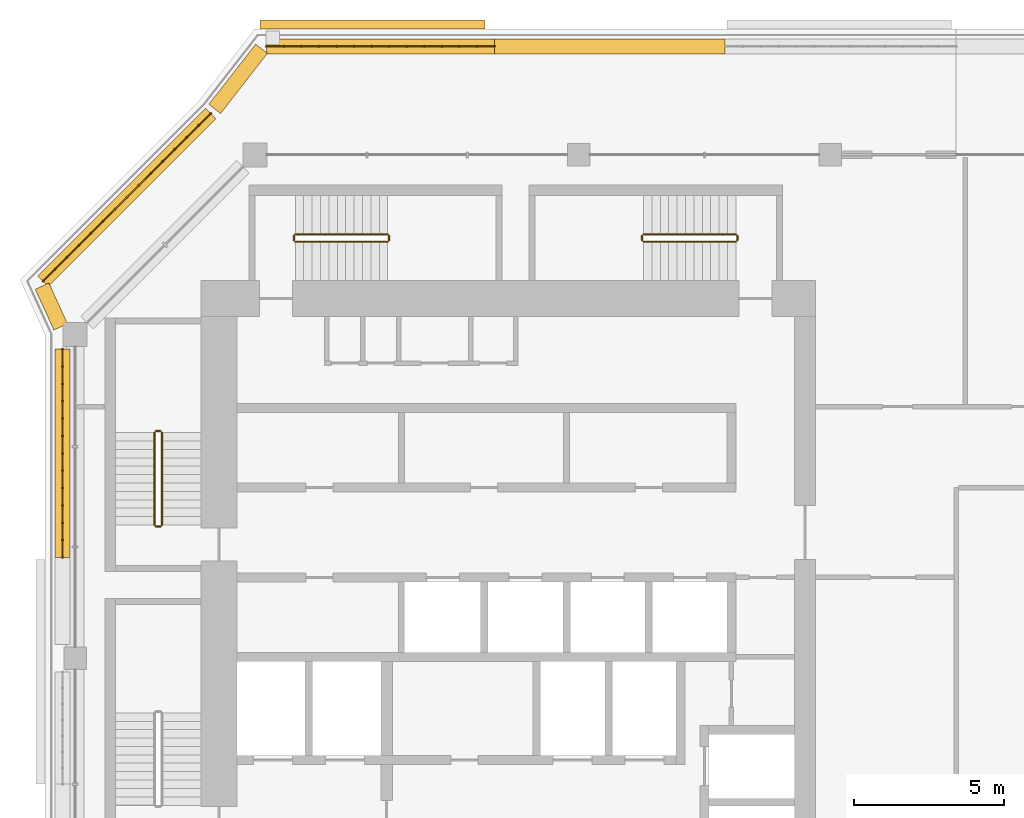
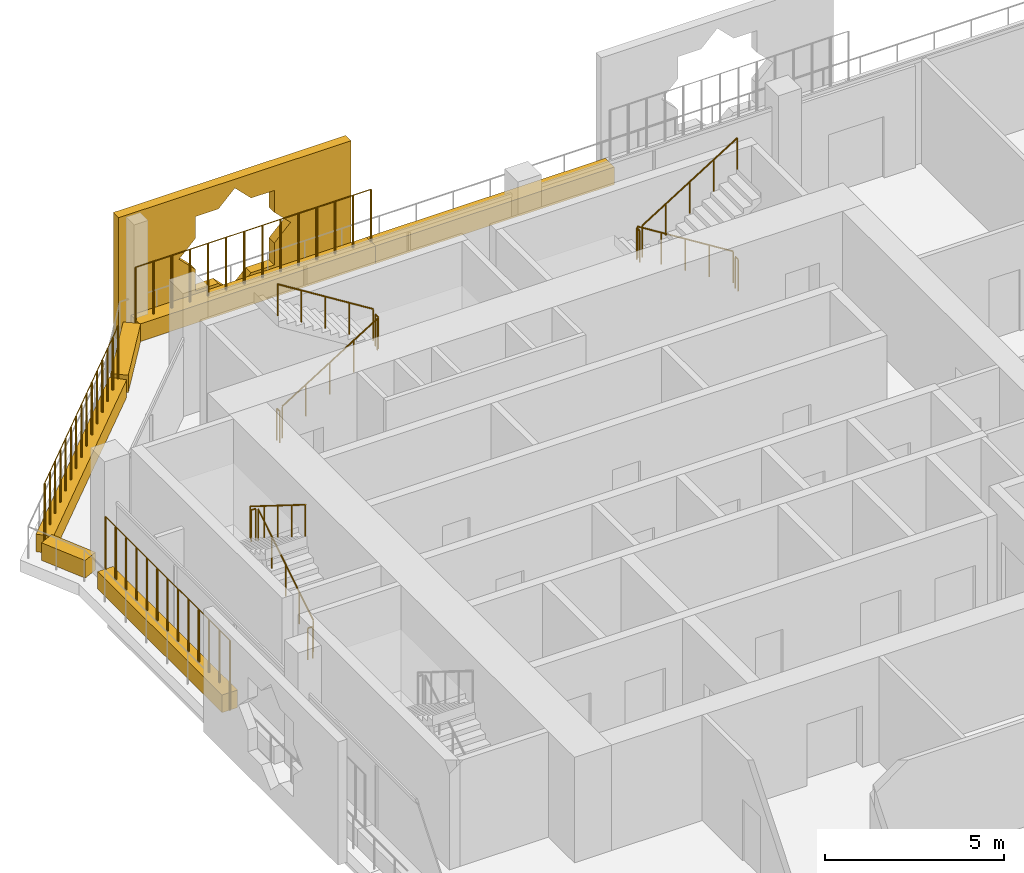
# One storey, part 19 of 21: 15 railings, 7 coverings.
"""IFC4 building model written with IfcOpenShell, lengths in metres."""

from ifc_helpers import new_model, si_unit, direction, frame, origin, origin_2d, place, context, subcontext, project, spatial, polyline, rectangle, circle, outline, extrude, material, material_profile, profile_set, type_object, element, save


model = new_model("IFC4")

# Units and contexts
model_context = context("Model", 3, precision=1e-05, world=origin(), true_north=direction((0.0, 1.0)))
body_context = subcontext(model_context, "Body", "Model", "MODEL_VIEW")
ifc_project = project(units=[si_unit("LENGTHUNIT", "METRE"), si_unit("AREAUNIT", "SQUARE_METRE"), si_unit("VOLUMEUNIT", "CUBIC_METRE"), si_unit("PLANEANGLEUNIT", "RADIAN"), si_unit("MASSUNIT", "GRAM", prefix="KILO")], contexts=[model_context])

# Site, building, storey
site_placement = place(None, origin())
site = spatial("IfcSite", under=ifc_project, at=site_placement, CompositionType="ELEMENT")
building_placement = place(site_placement, origin())
building = spatial("IfcBuilding", under=site, at=building_placement, Name="Kawkab Arch Medical Tower", CompositionType="ELEMENT")
storey_placement = place(building_placement, frame((0.0, 0.0, 311.199951171875)))
storey = spatial("IfcBuildingStorey", under=building, at=storey_placement, Name="L72", CompositionType="ELEMENT", Elevation=311.199951171875)

# Coverings
ifc_material_1 = material(Name="Bronze anodised aluminium mashrabiya panel, eight-point star pattern", Category="aluminium")
ifc_material_profile_1 = material_profile(ifc_material_1, outline(polyline([(-3.75, -2.10009765625), (3.75, -2.10009765625), (3.75, 2.10009765625), (-3.75, 2.10009765625), (-3.75, -2.10009765625)]), holes=[polyline([(1.800048828125, 0.0), (1.272705078125, 0.527099609375), (1.272705078125, 1.272705078125), (0.527099609375, 1.272705078125), (0.0, 1.800048828125), (-0.527099609375, 1.272705078125), (-1.272705078125, 1.272705078125), (-1.272705078125, 0.527099609375), (-1.800048828125, 0.0), (-1.272705078125, -0.527099609375), (-1.272705078125, -1.272705078125), (-0.527099609375, -1.272705078125), (0.0, -1.800048828125), (0.527099609375, -1.272705078125), (1.272705078125, -1.272705078125), (1.272705078125, -0.527099609375), (1.800048828125, 0.0)])]), Name="Mashrabiya panel 7500x4200")
ifc_profile_set_1 = profile_set([ifc_material_profile_1], Name="Bronze anodised aluminium mashrabiya panel, eight-point star pattern")
covering_type_1 = type_object("IfcCoveringType", Name="Mashrabiya panel 7500 x 4200", PredefinedType="USERDEFINED", material=ifc_profile_set_1)
covering_1_placement = place(storey_placement, frame((9.924072265625, 4.199951171875, 1.699951171875), z_axis=(0.0, 1.0, 0.0), x_axis=(-1.0, 0.0, 0.0)))
element("IfcCovering", 1, at=covering_1_placement, inside=storey, type_object=covering_type_1, Name="Mashrabiya panel L72.LOG-01-01.3", ObjectType="SCREEN", PredefinedType="USERDEFINED", context=body_context, shape_type="SweptSolid", body=[
    extrude(outline(polyline([(-3.75, -2.10009765625), (3.75, -2.10009765625), (3.75, 2.10009765625), (-3.75, 2.10009765625), (-3.75, -2.10009765625)]), holes=[polyline([(1.800048828125, 0.0), (1.272705078125, 0.527099609375), (1.272705078125, 1.272705078125), (0.527099609375, 1.272705078125), (0.0, 1.800048828125), (-0.527099609375, 1.272705078125), (-1.272705078125, 1.272705078125), (-1.272705078125, 0.527099609375), (-1.800048828125, 0.0), (-1.272705078125, -0.527099609375), (-1.272705078125, -1.272705078125), (-0.527099609375, -1.272705078125), (0.0, -1.800048828125), (0.527099609375, -1.272705078125), (1.272705078125, -1.272705078125), (1.272705078125, -0.527099609375), (1.800048828125, 0.0)])]), origin(), (0.0, 0.0, 1.0), 0.300048828125),
])
ifc_material_2 = material(Name="Planting soil in a precast trough", Category="concrete")
ifc_material_profile_2 = material_profile(ifc_material_2, rectangle(XDim=0.5, YDim=0.60009765625, at=origin_2d()), Name="Trough 500x600")
ifc_profile_set_2 = profile_set([ifc_material_profile_2], Name="Planting soil in a precast trough")
covering_type_2 = type_object("IfcCoveringType", Name="Planter trough 500 x 600", PredefinedType="USERDEFINED", material=ifc_profile_set_2)
covering_2_placement = place(storey_placement, frame((-0.419921875, -13.43701171875, 0.300048828125), z_axis=(0.0, 1.0, 0.0), x_axis=(-1.0, 0.0, 0.0)))
element("IfcCovering", 2, at=covering_2_placement, inside=storey, type_object=covering_type_2, Name="Planter L72.LOG-01-01.9", ObjectType="PLANTER", PredefinedType="USERDEFINED", context=body_context, shape_type="SweptSolid", body=[
    extrude(rectangle(XDim=0.5, YDim=0.60009765625, at=origin_2d()), origin(), (0.0, 0.0, 1.0), 6.95703125),
])
covering_3_placement = place(storey_placement, frame((-0.47998046875, -5.741943359375, 0.300048828125), z_axis=(-0.415189748133, 0.909734836667, 0.0), x_axis=(-0.909734836667, -0.415189748133, 0.0)))
element("IfcCovering", 3, at=covering_3_placement, inside=storey, type_object=covering_type_2, Name="Planter L72.LOG-01-01.10", ObjectType="PLANTER", PredefinedType="USERDEFINED", context=body_context, shape_type="SweptSolid", body=[
    extrude(rectangle(XDim=0.5, YDim=0.60009765625, at=origin_2d()), origin(), (0.0, 0.0, 1.0), 1.498291015625),
])
covering_4_placement = place(storey_placement, frame((-1.072998046875, -4.217041015625, 0.300048828125), z_axis=(0.707106781187, 0.707106781187, 0.0), x_axis=(-0.707106781187, 0.707106781187, 0.0)))
element("IfcCovering", 4, at=covering_4_placement, inside=storey, type_object=covering_type_2, Name="Planter L72.LOG-01-01.11", ObjectType="PLANTER", PredefinedType="USERDEFINED", context=body_context, shape_type="SweptSolid", body=[
    extrude(rectangle(XDim=0.5, YDim=0.60009765625, at=origin_2d()), origin(), (0.0, 0.0, 1.0), 7.919677734375),
])
covering_5_placement = place(storey_placement, frame((4.658935546875, 1.531982421875, 0.300048828125), z_axis=(0.61404021143, 0.789274742246, 0.0), x_axis=(-0.789274742246, 0.61404021143, 0.0)))
element("IfcCovering", 5, at=covering_5_placement, inside=storey, type_object=covering_type_2, Name="Planter L72.LOG-01-01.12", ObjectType="PLANTER", PredefinedType="USERDEFINED", context=body_context, shape_type="SweptSolid", body=[
    extrude(rectangle(XDim=0.5, YDim=0.60009765625, at=origin_2d()), origin(), (0.0, 0.0, 1.0), 2.54541015625),
])
covering_6_placement = place(storey_placement, frame((6.384033203125, 3.6201171875, 0.300048828125), z_axis=(1.0, 0.0, 0.0), x_axis=(0.0, 1.0, 0.0)))
element("IfcCovering", 6, at=covering_6_placement, inside=storey, type_object=covering_type_2, Name="Planter L72.LOG-01-01.13", ObjectType="PLANTER", PredefinedType="USERDEFINED", context=body_context, shape_type="SweptSolid", body=[
    extrude(rectangle(XDim=0.5, YDim=0.60009765625, at=origin_2d()), origin(), (0.0, 0.0, 1.0), 7.60498046875),
])
covering_7_placement = place(storey_placement, frame((13.989013671875, 3.6201171875, 0.300048828125), z_axis=(1.0, 0.0, 0.0), x_axis=(0.0, 1.0, 0.0)))
element("IfcCovering", 7, at=covering_7_placement, inside=storey, type_object=covering_type_2, Name="Planter L72.LOG-01-01.14", ObjectType="PLANTER", PredefinedType="USERDEFINED", context=body_context, shape_type="SweptSolid", body=[
    extrude(rectangle(XDim=0.5, YDim=0.60009765625, at=origin_2d()), origin(), (0.0, 0.0, 1.0), 7.7060546875),
])

# Railings
ifc_material_3 = material(Name="Bronze anodised aluminium trellis for climbing plants", Category="aluminium")
railing_type_1 = type_object("IfcRailingType", Name="Planting trellis 2400", PredefinedType="USERDEFINED", material=ifc_material_3)
railing_1_placement = place(storey_placement, frame((-0.419921875, -13.43701171875, 0.0)))
element("IfcRailing", 8, at=railing_1_placement, inside=storey, type_object=railing_type_1, Name="Planting trellis L72.LOG-01-01.9", ObjectType="TRELLIS", PredefinedType="USERDEFINED", context=body_context, shape_type="SweptSolid", body=[
    extrude(circle(Radius=0.01513671875, at=origin_2d()), frame((0.0, 0.0, 2.384765625), z_axis=(0.0, 1.0, 0.0), x_axis=(-1.0, 0.0, 0.0)), (0.0, 0.0, 1.0), 6.95703125),
    extrude(circle(Radius=0.030029296875, at=origin_2d()), origin(), (0.0, 0.0, 1.0), 2.369873046875),
    extrude(circle(Radius=0.030029296875, at=origin_2d()), frame((0.0, 0.579833984375, 0.0)), (0.0, 0.0, 1.0), 2.369873046875),
    extrude(circle(Radius=0.030029296875, at=origin_2d()), frame((0.0, 1.159423828125, 0.0)), (0.0, 0.0, 1.0), 2.369873046875),
    extrude(circle(Radius=0.030029296875, at=origin_2d()), frame((0.0, 1.7392578125, 0.0)), (0.0, 0.0, 1.0), 2.369873046875),
    extrude(circle(Radius=0.030029296875, at=origin_2d()), frame((0.0, 2.319091796875, 0.0)), (0.0, 0.0, 1.0), 2.369873046875),
    extrude(circle(Radius=0.030029296875, at=origin_2d()), frame((0.0, 2.898681640625, 0.0)), (0.0, 0.0, 1.0), 2.369873046875),
    extrude(circle(Radius=0.030029296875, at=origin_2d()), frame((0.0, 3.478515625, 0.0)), (0.0, 0.0, 1.0), 2.369873046875),
    extrude(circle(Radius=0.030029296875, at=origin_2d()), frame((0.0, 4.058349609375, 0.0)), (0.0, 0.0, 1.0), 2.369873046875),
    extrude(circle(Radius=0.030029296875, at=origin_2d()), frame((0.0, 4.637939453125, 0.0)), (0.0, 0.0, 1.0), 2.369873046875),
    extrude(circle(Radius=0.030029296875, at=origin_2d()), frame((0.0, 5.2177734375, 0.0)), (0.0, 0.0, 1.0), 2.369873046875),
    extrude(circle(Radius=0.030029296875, at=origin_2d()), frame((0.0, 5.797607421875, 0.0)), (0.0, 0.0, 1.0), 2.369873046875),
    extrude(circle(Radius=0.030029296875, at=origin_2d()), frame((0.0, 6.377197265625, 0.0)), (0.0, 0.0, 1.0), 2.369873046875),
    extrude(circle(Radius=0.030029296875, at=origin_2d()), frame((0.0, 6.95703125, 0.0)), (0.0, 0.0, 1.0), 2.369873046875),
])
railing_2_placement = place(storey_placement, frame((-1.072998046875, -4.217041015625, 0.0)))
element("IfcRailing", 9, at=railing_2_placement, inside=storey, type_object=railing_type_1, Name="Planting trellis L72.LOG-01-01.11", ObjectType="TRELLIS", PredefinedType="USERDEFINED", context=body_context, shape_type="SweptSolid", body=[
    extrude(circle(Radius=0.01513671875, at=origin_2d()), frame((0.0, 0.0, 2.384765625), z_axis=(0.707106781187, 0.707106781187, 0.0), x_axis=(-0.707106781187, 0.707106781187, 0.0)), (0.0, 0.0, 1.0), 7.919677734375),
    extrude(circle(Radius=0.030029296875, at=origin_2d()), origin(), (0.0, 0.0, 1.0), 2.369873046875),
    extrude(circle(Radius=0.030029296875, at=origin_2d()), frame((0.39990234375, 0.39990234375, 0.0)), (0.0, 0.0, 1.0), 2.369873046875),
    extrude(circle(Radius=0.030029296875, at=origin_2d()), frame((0.800048828125, 0.800048828125, 0.0)), (0.0, 0.0, 1.0), 2.369873046875),
    extrude(circle(Radius=0.030029296875, at=origin_2d()), frame((1.199951171875, 1.199951171875, 0.0)), (0.0, 0.0, 1.0), 2.369873046875),
    extrude(circle(Radius=0.030029296875, at=origin_2d()), frame((1.60009765625, 1.60009765625, 0.0)), (0.0, 0.0, 1.0), 2.369873046875),
    extrude(circle(Radius=0.030029296875, at=origin_2d()), frame((2.0, 2.0, 0.0)), (0.0, 0.0, 1.0), 2.369873046875),
    extrude(circle(Radius=0.030029296875, at=origin_2d()), frame((2.400146484375, 2.400146484375, 0.0)), (0.0, 0.0, 1.0), 2.369873046875),
    extrude(circle(Radius=0.030029296875, at=origin_2d()), frame((2.800048828125, 2.800048828125, 0.0)), (0.0, 0.0, 1.0), 2.369873046875),
    extrude(circle(Radius=0.030029296875, at=origin_2d()), frame((3.199951171875, 3.199951171875, 0.0)), (0.0, 0.0, 1.0), 2.369873046875),
    extrude(circle(Radius=0.030029296875, at=origin_2d()), frame((3.60009765625, 3.60009765625, 0.0)), (0.0, 0.0, 1.0), 2.369873046875),
    extrude(circle(Radius=0.030029296875, at=origin_2d()), frame((4.0, 4.0, 0.0)), (0.0, 0.0, 1.0), 2.369873046875),
    extrude(circle(Radius=0.030029296875, at=origin_2d()), frame((4.400146484375, 4.400146484375, 0.0)), (0.0, 0.0, 1.0), 2.369873046875),
    extrude(circle(Radius=0.030029296875, at=origin_2d()), frame((4.800048828125, 4.800048828125, 0.0)), (0.0, 0.0, 1.0), 2.369873046875),
    extrude(circle(Radius=0.030029296875, at=origin_2d()), frame((5.2001953125, 5.2001953125, 0.0)), (0.0, 0.0, 1.0), 2.369873046875),
    extrude(circle(Radius=0.030029296875, at=origin_2d()), frame((5.60009765625, 5.60009765625, 0.0)), (0.0, 0.0, 1.0), 2.369873046875),
])
railing_3_placement = place(storey_placement, frame((6.384033203125, 3.6201171875, 0.0)))
element("IfcRailing", 10, at=railing_3_placement, inside=storey, type_object=railing_type_1, Name="Planting trellis L72.LOG-01-01.13", ObjectType="TRELLIS", PredefinedType="USERDEFINED", context=body_context, shape_type="SweptSolid", body=[
    extrude(circle(Radius=0.01513671875, at=origin_2d()), frame((0.0, 0.0, 2.384765625), z_axis=(1.0, 0.0, 0.0), x_axis=(0.0, 1.0, 0.0)), (0.0, 0.0, 1.0), 7.60498046875),
    extrude(circle(Radius=0.030029296875, at=origin_2d()), origin(), (0.0, 0.0, 1.0), 2.369873046875),
    extrude(circle(Radius=0.030029296875, at=origin_2d()), frame((0.5849609375, 0.0, 0.0)), (0.0, 0.0, 1.0), 2.369873046875),
    extrude(circle(Radius=0.030029296875, at=origin_2d()), frame((1.169921875, 0.0, 0.0)), (0.0, 0.0, 1.0), 2.369873046875),
    extrude(circle(Radius=0.030029296875, at=origin_2d()), frame((1.7548828125, 0.0, 0.0)), (0.0, 0.0, 1.0), 2.369873046875),
    extrude(circle(Radius=0.030029296875, at=origin_2d()), frame((2.340087890625, 0.0, 0.0)), (0.0, 0.0, 1.0), 2.369873046875),
    extrude(circle(Radius=0.030029296875, at=origin_2d()), frame((2.925048828125, 0.0, 0.0)), (0.0, 0.0, 1.0), 2.369873046875),
    extrude(circle(Radius=0.030029296875, at=origin_2d()), frame((3.510009765625, 0.0, 0.0)), (0.0, 0.0, 1.0), 2.369873046875),
    extrude(circle(Radius=0.030029296875, at=origin_2d()), frame((4.094970703125, 0.0, 0.0)), (0.0, 0.0, 1.0), 2.369873046875),
    extrude(circle(Radius=0.030029296875, at=origin_2d()), frame((4.679931640625, 0.0, 0.0)), (0.0, 0.0, 1.0), 2.369873046875),
    extrude(circle(Radius=0.030029296875, at=origin_2d()), frame((5.264892578125, 0.0, 0.0)), (0.0, 0.0, 1.0), 2.369873046875),
    extrude(circle(Radius=0.030029296875, at=origin_2d()), frame((5.85009765625, 0.0, 0.0)), (0.0, 0.0, 1.0), 2.369873046875),
    extrude(circle(Radius=0.030029296875, at=origin_2d()), frame((6.43505859375, 0.0, 0.0)), (0.0, 0.0, 1.0), 2.369873046875),
    extrude(circle(Radius=0.030029296875, at=origin_2d()), frame((7.02001953125, 0.0, 0.0)), (0.0, 0.0, 1.0), 2.369873046875),
    extrude(circle(Radius=0.030029296875, at=origin_2d()), frame((7.60498046875, 0.0, 0.0)), (0.0, 0.0, 1.0), 2.369873046875),
])
ifc_material_4 = material(Name="Stainless steel", Category="steel")
railing_type_2 = type_object("IfcRailingType", Name="Stair guard 1100", PredefinedType="GUARDRAIL", material=ifc_material_4)
railing_4_placement = place(storey_placement, frame((2.89990234375, -12.35009765625, 0.175048828125)))
element("IfcRailing", 11, at=railing_4_placement, inside=storey, type_object=railing_type_2, Name="L72 ST1 stair guard 1", PredefinedType="GUARDRAIL", context=body_context, shape_type="SweptSolid", body=[
    extrude(circle(Radius=0.02392578125, at=origin_2d()), frame((0.0, 0.0, 1.076171875), z_axis=(0.0, 0.847998304005, 0.529998940003), x_axis=(-1.0, 0.0, 0.0)), (0.0, 0.0, 1.0), 3.632080078125),
    extrude(circle(Radius=0.02099609375, at=origin_2d()), origin(), (0.0, 0.0, 1.0), 1.052001953125),
    extrude(circle(Radius=0.02099609375, at=origin_2d()), frame((0.0, 0.77001953125, 0.481201171875)), (0.0, 0.0, 1.0), 1.052001953125),
    extrude(circle(Radius=0.02099609375, at=origin_2d()), frame((0.0, 1.5400390625, 0.96240234375)), (0.0, 0.0, 1.0), 1.052001953125),
    extrude(circle(Radius=0.02099609375, at=origin_2d()), frame((0.0, 2.31005859375, 1.44384765625)), (0.0, 0.0, 1.0), 1.052001953125),
    extrude(circle(Radius=0.02099609375, at=origin_2d()), frame((0.0, 3.080078125, 1.925048828125)), (0.0, 0.0, 1.0), 1.052001953125),
])
railing_5_placement = place(storey_placement, frame((2.85009765625, -9.219970703125, 2.10009765625)))
element("IfcRailing", 12, at=railing_5_placement, inside=storey, type_object=railing_type_2, Name="L72 ST1 stair guard 2", PredefinedType="GUARDRAIL", context=body_context, shape_type="SweptSolid", body=[
    extrude(circle(Radius=0.02392578125, at=origin_2d()), frame((0.0, 0.0, 1.076171875), z_axis=(-1.0, 0.0, 0.0), x_axis=(0.0, -1.0, 0.0)), (0.0, 0.0, 1.0), 0.150146484375),
    extrude(circle(Radius=0.02099609375, at=origin_2d()), origin(), (0.0, 0.0, 1.0), 1.052001953125),
    extrude(circle(Radius=0.02099609375, at=origin_2d()), frame((-0.150146484375, 0.0, 0.0)), (0.0, 0.0, 1.0), 1.052001953125),
])
railing_6_placement = place(storey_placement, frame((2.64990234375, -9.27001953125, 2.275146484375)))
element("IfcRailing", 13, at=railing_6_placement, inside=storey, type_object=railing_type_2, Name="L72 ST1 stair guard 3", PredefinedType="GUARDRAIL", context=body_context, shape_type="SweptSolid", body=[
    extrude(circle(Radius=0.02392578125, at=origin_2d()), frame((0.0, 0.0, 1.076171875), z_axis=(0.0, -0.848028513186, 0.529950602248), x_axis=(1.0, 0.0, 0.0)), (0.0, 0.0, 1.0), 3.632080078125),
    extrude(circle(Radius=0.02099609375, at=origin_2d()), origin(), (0.0, 0.0, 1.0), 1.052001953125),
    extrude(circle(Radius=0.02099609375, at=origin_2d()), frame((0.0, -0.77001953125, 0.481201171875)), (0.0, 0.0, 1.0), 1.052001953125),
    extrude(circle(Radius=0.02099609375, at=origin_2d()), frame((0.0, -1.5400390625, 0.96240234375)), (0.0, 0.0, 1.0), 1.052001953125),
    extrude(circle(Radius=0.02099609375, at=origin_2d()), frame((0.0, -2.31005859375, 1.443603515625)), (0.0, 0.0, 1.0), 1.052001953125),
    extrude(circle(Radius=0.02099609375, at=origin_2d()), frame((0.0, -3.080078125, 1.9248046875)), (0.0, 0.0, 1.0), 1.052001953125),
])
railing_7_placement = place(storey_placement, frame((2.85009765625, -12.39990234375, 0.0)))
element("IfcRailing", 14, at=railing_7_placement, inside=storey, type_object=railing_type_2, Name="L72 ST1 stair guard 4", PredefinedType="GUARDRAIL", context=body_context, shape_type="SweptSolid", body=[
    extrude(circle(Radius=0.02392578125, at=origin_2d()), frame((0.0, 0.0, 1.076171875), z_axis=(-1.0, 0.0, 0.0), x_axis=(0.0, -1.0, 0.0)), (0.0, 0.0, 1.0), 0.150146484375),
    extrude(circle(Radius=0.02099609375, at=origin_2d()), origin(), (0.0, 0.0, 1.0), 1.052001953125),
    extrude(circle(Radius=0.02099609375, at=origin_2d()), frame((-0.150146484375, 0.0, 0.0)), (0.0, 0.0, 1.0), 1.052001953125),
])
railing_8_placement = place(storey_placement, frame((7.35009765625, -2.89990234375, 0.175048828125)))
element("IfcRailing", 15, at=railing_8_placement, inside=storey, type_object=railing_type_2, Name="L72 ST3 stair guard 1", PredefinedType="GUARDRAIL", context=body_context, shape_type="SweptSolid", body=[
    extrude(circle(Radius=0.02392578125, at=origin_2d()), frame((0.0, 0.0, 1.076171875), z_axis=(0.847979421464, 0.0, 0.530029150871), x_axis=(0.0, 1.0, 0.0)), (0.0, 0.0, 1.0), 3.632080078125),
    extrude(circle(Radius=0.02099609375, at=origin_2d()), origin(), (0.0, 0.0, 1.0), 1.052001953125),
    extrude(circle(Radius=0.02099609375, at=origin_2d()), frame((0.77001953125, 0.0, 0.481201171875)), (0.0, 0.0, 1.0), 1.052001953125),
    extrude(circle(Radius=0.02099609375, at=origin_2d()), frame((1.5400390625, 0.0, 0.96240234375)), (0.0, 0.0, 1.0), 1.052001953125),
    extrude(circle(Radius=0.02099609375, at=origin_2d()), frame((2.309814453125, 0.0, 1.44384765625)), (0.0, 0.0, 1.0), 1.052001953125),
    extrude(circle(Radius=0.02099609375, at=origin_2d()), frame((3.079833984375, 0.0, 1.925048828125)), (0.0, 0.0, 1.0), 1.052001953125),
])
railing_9_placement = place(storey_placement, frame((10.47998046875, -2.85009765625, 2.10009765625)))
element("IfcRailing", 16, at=railing_9_placement, inside=storey, type_object=railing_type_2, Name="L72 ST3 stair guard 2", PredefinedType="GUARDRAIL", context=body_context, shape_type="SweptSolid", body=[
    extrude(circle(Radius=0.02392578125, at=origin_2d()), frame((0.0, 0.0, 1.076171875), z_axis=(0.0, 1.0, 0.0), x_axis=(-1.0, 0.0, 0.0)), (0.0, 0.0, 1.0), 0.150146484375),
    extrude(circle(Radius=0.02099609375, at=origin_2d()), origin(), (0.0, 0.0, 1.0), 1.052001953125),
    extrude(circle(Radius=0.02099609375, at=origin_2d()), frame((0.0, 0.150146484375, 0.0)), (0.0, 0.0, 1.0), 1.052001953125),
])
railing_10_placement = place(storey_placement, frame((10.429931640625, -2.64990234375, 2.275146484375)))
element("IfcRailing", 17, at=railing_10_placement, inside=storey, type_object=railing_type_2, Name="L72 ST3 stair guard 3", PredefinedType="GUARDRAIL", context=body_context, shape_type="SweptSolid", body=[
    extrude(circle(Radius=0.02392578125, at=origin_2d()), frame((0.0, 0.0, 1.076171875), z_axis=(-0.848009633417, 0.0, 0.529980812513), x_axis=(0.0, -1.0, 0.0)), (0.0, 0.0, 1.0), 3.6318359375),
    extrude(circle(Radius=0.02099609375, at=origin_2d()), origin(), (0.0, 0.0, 1.0), 1.052001953125),
    extrude(circle(Radius=0.02099609375, at=origin_2d()), frame((-0.77001953125, 0.0, 0.481201171875)), (0.0, 0.0, 1.0), 1.052001953125),
    extrude(circle(Radius=0.02099609375, at=origin_2d()), frame((-1.5400390625, 0.0, 0.96240234375)), (0.0, 0.0, 1.0), 1.052001953125),
    extrude(circle(Radius=0.02099609375, at=origin_2d()), frame((-2.309814453125, 0.0, 1.443603515625)), (0.0, 0.0, 1.0), 1.052001953125),
    extrude(circle(Radius=0.02099609375, at=origin_2d()), frame((-3.079833984375, 0.0, 1.9248046875)), (0.0, 0.0, 1.0), 1.052001953125),
])
railing_11_placement = place(storey_placement, frame((7.300048828125, -2.85009765625, 0.0)))
element("IfcRailing", 18, at=railing_11_placement, inside=storey, type_object=railing_type_2, Name="L72 ST3 stair guard 4", PredefinedType="GUARDRAIL", context=body_context, shape_type="SweptSolid", body=[
    extrude(circle(Radius=0.02392578125, at=origin_2d()), frame((0.0, 0.0, 1.076171875), z_axis=(0.0, 1.0, 0.0), x_axis=(-1.0, 0.0, 0.0)), (0.0, 0.0, 1.0), 0.150146484375),
    extrude(circle(Radius=0.02099609375, at=origin_2d()), origin(), (0.0, 0.0, 1.0), 1.052001953125),
    extrude(circle(Radius=0.02099609375, at=origin_2d()), frame((0.0, 0.150146484375, 0.0)), (0.0, 0.0, 1.0), 1.052001953125),
])
railing_12_placement = place(storey_placement, frame((22.050048828125, -2.64990234375, 0.175048828125)))
element("IfcRailing", 19, at=railing_12_placement, inside=storey, type_object=railing_type_2, Name="L72 ST4 stair guard 1", PredefinedType="GUARDRAIL", context=body_context, shape_type="SweptSolid", body=[
    extrude(circle(Radius=0.02392578125, at=origin_2d()), frame((0.0, 0.0, 1.076171875), z_axis=(-0.847998304005, 0.0, 0.529998940003), x_axis=(0.0, -1.0, 0.0)), (0.0, 0.0, 1.0), 3.632080078125),
    extrude(circle(Radius=0.02099609375, at=origin_2d()), origin(), (0.0, 0.0, 1.0), 1.052001953125),
    extrude(circle(Radius=0.02099609375, at=origin_2d()), frame((-0.77001953125, 0.0, 0.481201171875)), (0.0, 0.0, 1.0), 1.052001953125),
    extrude(circle(Radius=0.02099609375, at=origin_2d()), frame((-1.5400390625, 0.0, 0.96240234375)), (0.0, 0.0, 1.0), 1.052001953125),
    extrude(circle(Radius=0.02099609375, at=origin_2d()), frame((-2.31005859375, 0.0, 1.44384765625)), (0.0, 0.0, 1.0), 1.052001953125),
    extrude(circle(Radius=0.02099609375, at=origin_2d()), frame((-3.080078125, 0.0, 1.925048828125)), (0.0, 0.0, 1.0), 1.052001953125),
])
railing_13_placement = place(storey_placement, frame((18.919921875, -2.699951171875, 2.10009765625)))
element("IfcRailing", 20, at=railing_13_placement, inside=storey, type_object=railing_type_2, Name="L72 ST4 stair guard 2", PredefinedType="GUARDRAIL", context=body_context, shape_type="SweptSolid", body=[
    extrude(circle(Radius=0.02392578125, at=origin_2d()), frame((0.0, 0.0, 1.076171875), z_axis=(0.0, -1.0, 0.0), x_axis=(1.0, 0.0, 0.0)), (0.0, 0.0, 1.0), 0.150146484375),
    extrude(circle(Radius=0.02099609375, at=origin_2d()), origin(), (0.0, 0.0, 1.0), 1.052001953125),
    extrude(circle(Radius=0.02099609375, at=origin_2d()), frame((0.0, -0.150146484375, 0.0)), (0.0, 0.0, 1.0), 1.052001953125),
])
railing_14_placement = place(storey_placement, frame((18.969970703125, -2.89990234375, 2.275146484375)))
element("IfcRailing", 21, at=railing_14_placement, inside=storey, type_object=railing_type_2, Name="L72 ST4 stair guard 3", PredefinedType="GUARDRAIL", context=body_context, shape_type="SweptSolid", body=[
    extrude(circle(Radius=0.02392578125, at=origin_2d()), frame((0.0, 0.0, 1.076171875), z_axis=(0.848028513186, 0.0, 0.529950602248), x_axis=(0.0, 1.0, 0.0)), (0.0, 0.0, 1.0), 3.632080078125),
    extrude(circle(Radius=0.02099609375, at=origin_2d()), origin(), (0.0, 0.0, 1.0), 1.052001953125),
    extrude(circle(Radius=0.02099609375, at=origin_2d()), frame((0.77001953125, 0.0, 0.481201171875)), (0.0, 0.0, 1.0), 1.052001953125),
    extrude(circle(Radius=0.02099609375, at=origin_2d()), frame((1.5400390625, 0.0, 0.96240234375)), (0.0, 0.0, 1.0), 1.052001953125),
    extrude(circle(Radius=0.02099609375, at=origin_2d()), frame((2.31005859375, 0.0, 1.443603515625)), (0.0, 0.0, 1.0), 1.052001953125),
    extrude(circle(Radius=0.02099609375, at=origin_2d()), frame((3.080078125, 0.0, 1.9248046875)), (0.0, 0.0, 1.0), 1.052001953125),
])
railing_15_placement = place(storey_placement, frame((22.10009765625, -2.699951171875, 0.0)))
element("IfcRailing", 22, at=railing_15_placement, inside=storey, type_object=railing_type_2, Name="L72 ST4 stair guard 4", PredefinedType="GUARDRAIL", context=body_context, shape_type="SweptSolid", body=[
    extrude(circle(Radius=0.02392578125, at=origin_2d()), frame((0.0, 0.0, 1.076171875), z_axis=(0.0, -1.0, 0.0), x_axis=(1.0, 0.0, 0.0)), (0.0, 0.0, 1.0), 0.150146484375),
    extrude(circle(Radius=0.02099609375, at=origin_2d()), origin(), (0.0, 0.0, 1.0), 1.052001953125),
    extrude(circle(Radius=0.02099609375, at=origin_2d()), frame((0.0, -0.150146484375, 0.0)), (0.0, 0.0, 1.0), 1.052001953125),
])

save(model, "model.ifc")
